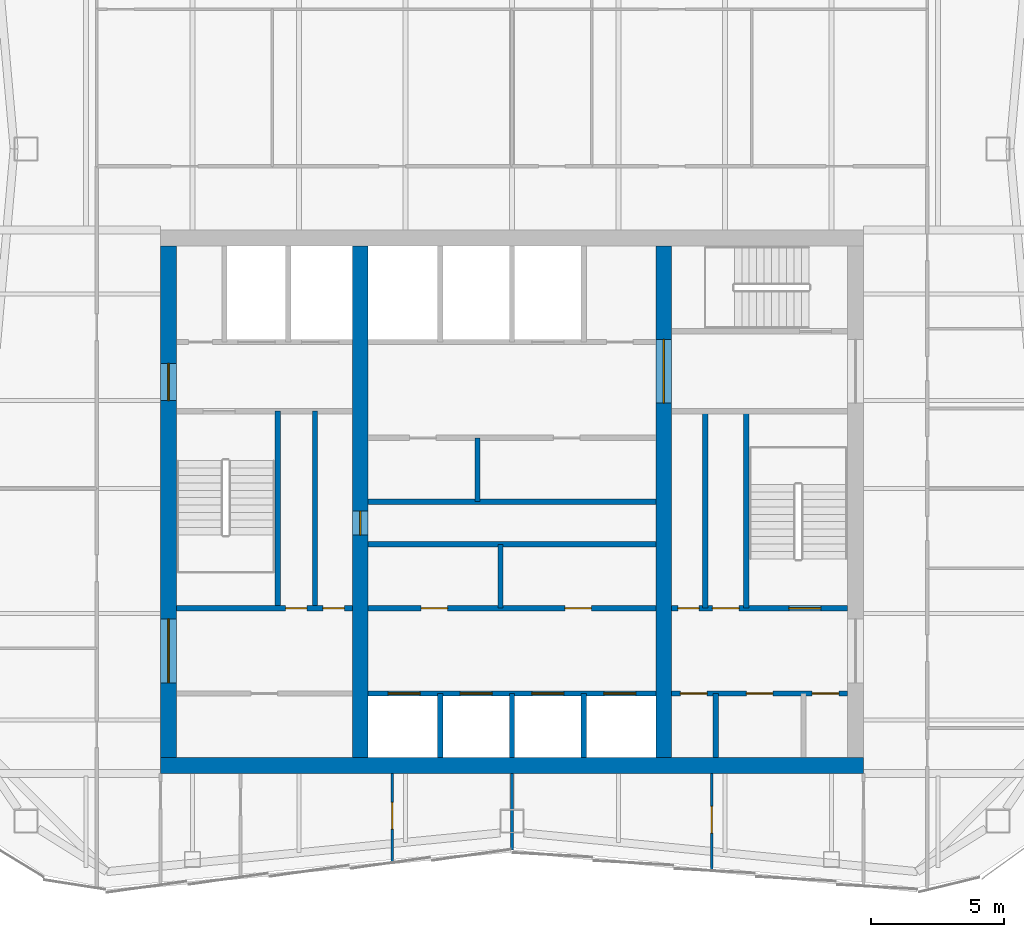
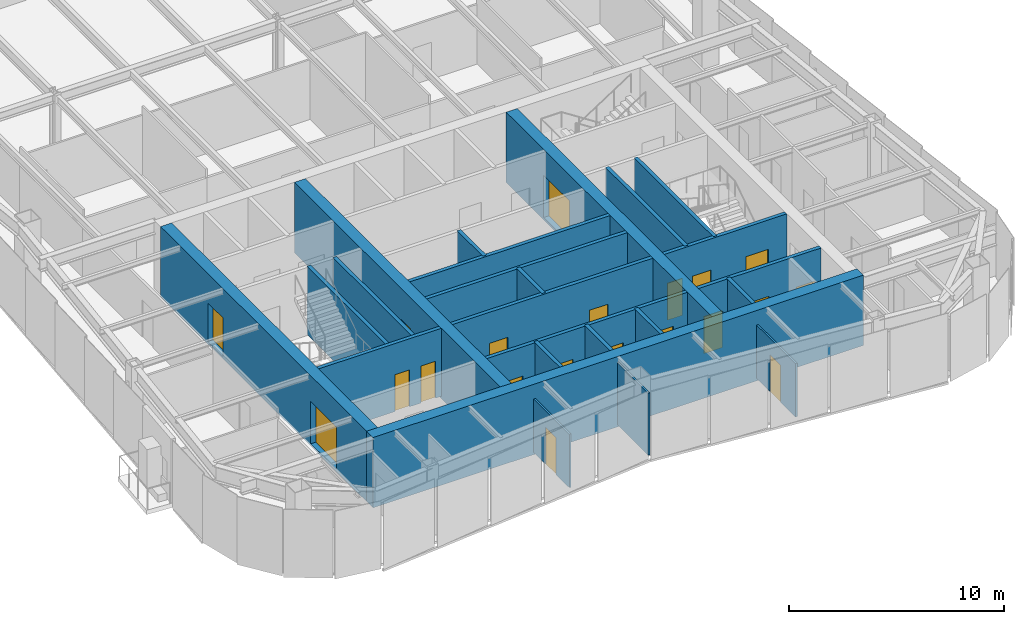
# One storey, part 6 of 10: 24 walls, 20 doors, 20 openings.
"""IFC4 building model written with IfcOpenShell, lengths in metres."""

from ifc_helpers import new_model, si_unit, direction, frame, frame_2d, origin, place, context, subcontext, project, spatial, rectangle, extrude, material, layer, layer_set, type_object, element, fill, save


model = new_model("IFC4")

# Units and contexts
model_context = context("Model", 3, precision=1e-05, world=origin(), true_north=direction((0.0, 1.0)))
body_context = subcontext(model_context, "Body", "Model", "MODEL_VIEW")
ifc_project = project(units=[si_unit("LENGTHUNIT", "METRE"), si_unit("AREAUNIT", "SQUARE_METRE"), si_unit("VOLUMEUNIT", "CUBIC_METRE"), si_unit("PLANEANGLEUNIT", "RADIAN"), si_unit("MASSUNIT", "GRAM", prefix="KILO")], contexts=[model_context])

# Site, building, storey
site_placement = place(None, origin())
site = spatial("IfcSite", under=ifc_project, at=site_placement, CompositionType="ELEMENT")
building_placement = place(site_placement, origin())
building = spatial("IfcBuilding", under=site, at=building_placement, Name="Verdant Reach Tower", CompositionType="ELEMENT")
storey_placement = place(building_placement, frame((0.0, 0.0, 326.0)))
storey = spatial("IfcBuildingStorey", under=building, at=storey_placement, Name="L75", CompositionType="ELEMENT", Elevation=326.0)

# Wall, openings, doors
ifc_material_1 = material(Name="Gypsum board on steel studs", Category="steel")
ifc_layer_1 = layer(ifc_material_1, 0.199951171875)
ifc_layer_set_1 = layer_set([ifc_layer_1], Name="CO-WALL-ROOM")
wall_type_1 = type_object("IfcWallType", Name="CO-WALL-ROOM", PredefinedType="PARTITIONING", material=ifc_layer_set_1)
wall_1_placement = place(storey_placement, frame((6.0, 20.800048828125, 0.0), z_axis=(0.0, 0.0, 1.0), x_axis=(1.0, 0.0, 0.0)))
wall_1 = element("IfcWall", 1, at=wall_1_placement, inside=storey, type_object=wall_type_1, Name="Core partition, L75", PredefinedType="PARTITIONING", context=body_context, shape_type="SweptSolid", body=[
    extrude(rectangle(XDim=6.60009765625, YDim=0.199951171875, at=frame_2d((3.300048828125, 0.0))), origin(), (0.0, 0.0, 1.0), 3.8701171875),
])
opening_1_placement = place(wall_1_placement, frame((0.324951171875, 0.0, 0.0)))
opening_1 = element("IfcOpeningElement", 2, at=opening_1_placement, cuts=wall_1, Name="Opening CD", PredefinedType="OPENING", context=body_context, shape_type="SweptSolid", body=[
    extrude(rectangle(XDim=1.0, YDim=2.10009765625, at=frame_2d((0.5, 1.050048828125))), frame((0.0, 0.10986328125, 0.0), z_axis=(0.0, -1.0, 0.0), x_axis=(1.0, 0.0, 0.0)), (0.0, 0.0, 1.0), 0.219970703125),
])
opening_2_placement = place(wall_1_placement, frame((2.800048828125, 0.0, 0.0)))
opening_2 = element("IfcOpeningElement", 3, at=opening_2_placement, cuts=wall_1, Name="Opening CD", PredefinedType="OPENING", context=body_context, shape_type="SweptSolid", body=[
    extrude(rectangle(XDim=1.0, YDim=2.10009765625, at=frame_2d((0.5, 1.050048828125))), frame((0.0, 0.10986328125, 0.0), z_axis=(0.0, -1.0, 0.0), x_axis=(1.0, 0.0, 0.0)), (0.0, 0.0, 1.0), 0.219970703125),
])
opening_3_placement = place(wall_1_placement, frame((5.27490234375, 0.0, 0.0)))
opening_3 = element("IfcOpeningElement", 4, at=opening_3_placement, cuts=wall_1, Name="Opening CD", PredefinedType="OPENING", context=body_context, shape_type="SweptSolid", body=[
    extrude(rectangle(XDim=1.0, YDim=2.10009765625, at=frame_2d((0.5, 1.050048828125))), frame((0.0, 0.10986328125, 0.0), z_axis=(0.0, -1.0, 0.0), x_axis=(1.0, 0.0, 0.0)), (0.0, 0.0, 1.0), 0.219970703125),
])
ifc_material_2 = material(Name="Timber", Category="wood")
door_type_1 = type_object("IfcDoorType", Name="CO-DOOR-ROOM", OperationType="NOTDEFINED", PredefinedType="DOOR", material=ifc_material_2)
door_1_placement = place(opening_1_placement, origin())
door_1 = element("IfcDoor", 5, at=door_1_placement, inside=storey, type_object=door_type_1, Name="Core room door, L75", OperationType="SINGLE_SWING_LEFT", OverallHeight=2.10009765625, OverallWidth=1.0, PredefinedType="DOOR", context=body_context, shape_type="SweptSolid", body=[
    extrude(rectangle(XDim=1.0, YDim=2.10009765625, at=frame_2d((0.5, 1.050048828125))), frame((0.0, 0.02490234375, 0.0), z_axis=(0.0, -1.0, 0.0), x_axis=(1.0, 0.0, 0.0)), (0.0, 0.0, 1.0), 0.050048828125),
])
fill(opening_1, door_1)
door_2_placement = place(opening_2_placement, origin())
door_2 = element("IfcDoor", 6, at=door_2_placement, inside=storey, type_object=door_type_1, Name="Core room door, L75", OperationType="SINGLE_SWING_LEFT", OverallHeight=2.10009765625, OverallWidth=1.0, PredefinedType="DOOR", context=body_context, shape_type="SweptSolid", body=[
    extrude(rectangle(XDim=1.0, YDim=2.10009765625, at=frame_2d((0.5, 1.050048828125))), frame((0.0, 0.02490234375, 0.0), z_axis=(0.0, -1.0, 0.0), x_axis=(1.0, 0.0, 0.0)), (0.0, 0.0, 1.0), 0.050048828125),
])
fill(opening_2, door_2)
door_3_placement = place(opening_3_placement, origin())
door_3 = element("IfcDoor", 7, at=door_3_placement, inside=storey, type_object=door_type_1, Name="Core room door, L75", OperationType="SINGLE_SWING_LEFT", OverallHeight=2.10009765625, OverallWidth=1.0, PredefinedType="DOOR", context=body_context, shape_type="SweptSolid", body=[
    extrude(rectangle(XDim=1.0, YDim=2.10009765625, at=frame_2d((0.5, 1.050048828125))), frame((0.0, 0.02490234375, 0.0), z_axis=(0.0, -1.0, 0.0), x_axis=(1.0, 0.0, 0.0)), (0.0, 0.0, 1.0), 0.050048828125),
])
fill(opening_3, door_3)

wall_2_placement = place(storey_placement, frame((-5.39990234375, 24.0, 0.0), z_axis=(0.0, 0.0, 1.0), x_axis=(1.0, 0.0, 0.0)))
wall_2 = element("IfcWall", 8, at=wall_2_placement, inside=storey, type_object=wall_type_1, Name="Core partition, L75", PredefinedType="PARTITIONING", context=body_context, shape_type="SweptSolid", body=[
    extrude(rectangle(XDim=10.7998046875, YDim=0.199951171875, at=frame_2d((5.39990234375, 0.0))), origin(), (0.0, 0.0, 1.0), 3.8701171875),
])
opening_4_placement = place(wall_2_placement, frame((1.98388671875, 0.0, 0.0)))
opening_4 = element("IfcOpeningElement", 9, at=opening_4_placement, cuts=wall_2, Name="Opening CD", PredefinedType="OPENING", context=body_context, shape_type="SweptSolid", body=[
    extrude(rectangle(XDim=1.0, YDim=2.10009765625, at=frame_2d((0.5, 1.050048828125))), frame((0.0, 0.10986328125, 0.0), z_axis=(0.0, -1.0, 0.0), x_axis=(1.0, 0.0, 0.0)), (0.0, 0.0, 1.0), 0.219970703125),
])
opening_5_placement = place(wall_2_placement, frame((7.384033203125, 0.0, 0.0)))
opening_5 = element("IfcOpeningElement", 10, at=opening_5_placement, cuts=wall_2, Name="Opening CD", PredefinedType="OPENING", context=body_context, shape_type="SweptSolid", body=[
    extrude(rectangle(XDim=1.0, YDim=2.10009765625, at=frame_2d((0.5, 1.050048828125))), frame((0.0, 0.10986328125, 0.0), z_axis=(0.0, -1.0, 0.0), x_axis=(1.0, 0.0, 0.0)), (0.0, 0.0, 1.0), 0.219970703125),
])
door_4_placement = place(opening_4_placement, origin())
door_4 = element("IfcDoor", 11, at=door_4_placement, inside=storey, type_object=door_type_1, Name="Core room door, L75", OperationType="SINGLE_SWING_LEFT", OverallHeight=2.10009765625, OverallWidth=1.0, PredefinedType="DOOR", context=body_context, shape_type="SweptSolid", body=[
    extrude(rectangle(XDim=1.0, YDim=2.10009765625, at=frame_2d((0.5, 1.050048828125))), frame((0.0, 0.02490234375, 0.0), z_axis=(0.0, -1.0, 0.0), x_axis=(1.0, 0.0, 0.0)), (0.0, 0.0, 1.0), 0.050048828125),
])
fill(opening_4, door_4)
door_5_placement = place(opening_5_placement, origin())
door_5 = element("IfcDoor", 12, at=door_5_placement, inside=storey, type_object=door_type_1, Name="Core room door, L75", OperationType="SINGLE_SWING_RIGHT", OverallHeight=2.10009765625, OverallWidth=1.0, PredefinedType="DOOR", context=body_context, shape_type="SweptSolid", body=[
    extrude(rectangle(XDim=1.0, YDim=2.10009765625, at=frame_2d((0.5, 1.050048828125))), frame((0.0, 0.02490234375, 0.0), z_axis=(0.0, -1.0, 0.0), x_axis=(1.0, 0.0, 0.0)), (0.0, 0.0, 1.0), 0.050048828125),
])
fill(opening_5, door_5)

# Walls
for number, where, z_axis, x_axis, name in (
    (13, (-5.39990234375, 26.39990234375, 0.0), (0.0, 0.0, 1.0), (1.0, 0.0, 0.0), "Core partition, L75"),
    (14, (-5.39990234375, 28.0, 0.0), (0.0, 0.0, 1.0), (1.0, 0.0, 0.0), "Core partition, L75"),
):
    element("IfcWall", number, at=place(storey_placement, frame(where, z_axis=z_axis, x_axis=x_axis)), inside=storey, type_object=wall_type_1, Name=name, PredefinedType="PARTITIONING", context=body_context, shape_type="SweptSolid", body=[
        extrude(rectangle(XDim=10.7998046875, YDim=0.199951171875, at=frame_2d((5.39990234375, 0.0))), origin(), (0.0, 0.0, 1.0), 3.8701171875),
    ])
wall_3_placement = place(storey_placement, frame((-7.39990234375, 24.0, 0.0), z_axis=(0.0, 0.0, 1.0), x_axis=(0.0, 1.0, 0.0)))
element("IfcWall", 15, at=wall_3_placement, inside=storey, type_object=wall_type_1, Name="Core partition, L75", PredefinedType="PARTITIONING", context=body_context, shape_type="SweptSolid", body=[
    extrude(rectangle(XDim=7.39990234375, YDim=0.199951171875, at=frame_2d((3.699951171875, 0.0))), origin(), (0.0, 0.0, 1.0), 3.8701171875),
])
for number, where, z_axis, x_axis, name in (
    (16, (-1.2958984375, 28.0, 0.0), (0.0, 0.0, 1.0), (0.0, 1.0, 0.0), "Core partition, L75"),
    (17, (-0.431884765625, 24.0, 0.0), (0.0, 0.0, 1.0), (0.0, 1.0, 0.0), "Core partition, L75"),
):
    element("IfcWall", number, at=place(storey_placement, frame(where, z_axis=z_axis, x_axis=x_axis)), inside=storey, type_object=wall_type_1, Name=name, PredefinedType="PARTITIONING", context=body_context, shape_type="SweptSolid", body=[
        extrude(rectangle(XDim=2.39990234375, YDim=0.199951171875, at=frame_2d((1.199951171875, 0.0))), origin(), (0.0, 0.0, 1.0), 3.8701171875),
    ])
wall_4_placement = place(storey_placement, frame((7.260009765625, 24.0, 0.0), z_axis=(0.0, 0.0, 1.0), x_axis=(0.0, 1.0, 0.0)))
element("IfcWall", 18, at=wall_4_placement, inside=storey, type_object=wall_type_1, Name="Core partition, L75", PredefinedType="PARTITIONING", context=body_context, shape_type="SweptSolid", body=[
    extrude(rectangle(XDim=7.39990234375, YDim=0.199951171875, at=frame_2d((3.699951171875, 0.0))), origin(), (0.0, 0.0, 1.0), 3.8701171875),
])
wall_5_placement = place(storey_placement, frame((7.64990234375, 18.39990234375, 0.0), z_axis=(0.0, 0.0, 1.0), x_axis=(0.0, 1.0, 0.0)))
element("IfcWall", 19, at=wall_5_placement, inside=storey, type_object=wall_type_1, Name="Core partition, L75", PredefinedType="PARTITIONING", context=body_context, shape_type="SweptSolid", body=[
    extrude(rectangle(XDim=2.400146484375, YDim=0.199951171875, at=frame_2d((1.2001953125, 0.0))), origin(), (0.0, 0.0, 1.0), 3.8701171875),
])

# Wall, openings, doors
ifc_material_3 = material(Name="Concrete C40/50", Category="concrete")
ifc_layer_2 = layer(ifc_material_3, 0.199951171875)
ifc_layer_set_2 = layer_set([ifc_layer_2], Name="CO-WALL-SHAFT")
wall_type_2 = type_object("IfcWallType", Name="CO-WALL-SHAFT", PredefinedType="PARTITIONING", material=ifc_layer_set_2)
wall_6_placement = place(storey_placement, frame((-5.39990234375, 20.800048828125, 0.0), z_axis=(0.0, 0.0, 1.0), x_axis=(1.0, 0.0, 0.0)))
wall_6 = element("IfcWall", 20, at=wall_6_placement, inside=storey, type_object=wall_type_2, Name="Lift shaft wall, L75", PredefinedType="PARTITIONING", context=body_context, shape_type="SweptSolid", body=[
    extrude(rectangle(XDim=10.7998046875, YDim=0.199951171875, at=frame_2d((5.39990234375, 0.0))), origin(), (0.0, 0.0, 1.0), 3.8701171875),
])
opening_6_placement = place(wall_6_placement, frame((0.75, 0.0, 0.0)))
opening_6 = element("IfcOpeningElement", 21, at=opening_6_placement, cuts=wall_6, Name="Opening LD-B1", PredefinedType="OPENING", context=body_context, shape_type="SweptSolid", body=[
    extrude(rectangle(XDim=1.199951171875, YDim=2.199951171875, at=frame_2d((0.60009765625, 1.10009765625))), frame((0.0, 0.10986328125, 0.0), z_axis=(0.0, -1.0, 0.0), x_axis=(1.0, 0.0, 0.0)), (0.0, 0.0, 1.0), 0.219970703125),
])
opening_7_placement = place(wall_6_placement, frame((3.449951171875, 0.0, 0.0)))
opening_7 = element("IfcOpeningElement", 22, at=opening_7_placement, cuts=wall_6, Name="Opening LD-B2", PredefinedType="OPENING", context=body_context, shape_type="SweptSolid", body=[
    extrude(rectangle(XDim=1.199951171875, YDim=2.199951171875, at=frame_2d((0.60009765625, 1.10009765625))), frame((0.0, 0.10986328125, 0.0), z_axis=(0.0, -1.0, 0.0), x_axis=(1.0, 0.0, 0.0)), (0.0, 0.0, 1.0), 0.219970703125),
])
opening_8_placement = place(wall_6_placement, frame((6.14990234375, 0.0, 0.0)))
opening_8 = element("IfcOpeningElement", 23, at=opening_8_placement, cuts=wall_6, Name="Opening LD-B3", PredefinedType="OPENING", context=body_context, shape_type="SweptSolid", body=[
    extrude(rectangle(XDim=1.199951171875, YDim=2.199951171875, at=frame_2d((0.60009765625, 1.10009765625))), frame((0.0, 0.10986328125, 0.0), z_axis=(0.0, -1.0, 0.0), x_axis=(1.0, 0.0, 0.0)), (0.0, 0.0, 1.0), 0.219970703125),
])
opening_9_placement = place(wall_6_placement, frame((8.85009765625, 0.0, 0.0)))
opening_9 = element("IfcOpeningElement", 24, at=opening_9_placement, cuts=wall_6, Name="Opening LD-B4", PredefinedType="OPENING", context=body_context, shape_type="SweptSolid", body=[
    extrude(rectangle(XDim=1.199951171875, YDim=2.199951171875, at=frame_2d((0.60009765625, 1.10009765625))), frame((0.0, 0.10986328125, 0.0), z_axis=(0.0, -1.0, 0.0), x_axis=(1.0, 0.0, 0.0)), (0.0, 0.0, 1.0), 0.219970703125),
])
ifc_material_4 = material(Name="Stainless steel", Category="steel")
door_type_2 = type_object("IfcDoorType", Name="CO-DOOR-LANDING", OperationType="SLIDING_TO_LEFT", PredefinedType="DOOR", material=ifc_material_4)
door_6_placement = place(opening_6_placement, origin())
door_6 = element("IfcDoor", 25, at=door_6_placement, inside=storey, type_object=door_type_2, Name="Landing door B1, L75", OperationType="SLIDING_TO_LEFT", OverallHeight=2.199951171875, OverallWidth=1.199951171875, PredefinedType="DOOR", context=body_context, shape_type="SweptSolid", body=[
    extrude(rectangle(XDim=1.199951171875, YDim=2.199951171875, at=frame_2d((0.60009765625, 1.10009765625))), frame((0.0, 0.02490234375, 0.0), z_axis=(0.0, -1.0, 0.0), x_axis=(1.0, 0.0, 0.0)), (0.0, 0.0, 1.0), 0.050048828125),
])
fill(opening_6, door_6)
door_7_placement = place(opening_7_placement, origin())
door_7 = element("IfcDoor", 26, at=door_7_placement, inside=storey, type_object=door_type_2, Name="Landing door B2, L75", OperationType="SLIDING_TO_LEFT", OverallHeight=2.199951171875, OverallWidth=1.199951171875, PredefinedType="DOOR", context=body_context, shape_type="SweptSolid", body=[
    extrude(rectangle(XDim=1.199951171875, YDim=2.199951171875, at=frame_2d((0.60009765625, 1.10009765625))), frame((0.0, 0.02490234375, 0.0), z_axis=(0.0, -1.0, 0.0), x_axis=(1.0, 0.0, 0.0)), (0.0, 0.0, 1.0), 0.050048828125),
])
fill(opening_7, door_7)
door_8_placement = place(opening_8_placement, origin())
door_8 = element("IfcDoor", 27, at=door_8_placement, inside=storey, type_object=door_type_2, Name="Landing door B3, L75", OperationType="SLIDING_TO_LEFT", OverallHeight=2.199951171875, OverallWidth=1.199951171875, PredefinedType="DOOR", context=body_context, shape_type="SweptSolid", body=[
    extrude(rectangle(XDim=1.199951171875, YDim=2.199951171875, at=frame_2d((0.60009765625, 1.10009765625))), frame((0.0, 0.02490234375, 0.0), z_axis=(0.0, -1.0, 0.0), x_axis=(1.0, 0.0, 0.0)), (0.0, 0.0, 1.0), 0.050048828125),
])
fill(opening_8, door_8)
door_9_placement = place(opening_9_placement, origin())
door_9 = element("IfcDoor", 28, at=door_9_placement, inside=storey, type_object=door_type_2, Name="Landing door B4, L75", OperationType="SLIDING_TO_LEFT", OverallHeight=2.199951171875, OverallWidth=1.199951171875, PredefinedType="DOOR", context=body_context, shape_type="SweptSolid", body=[
    extrude(rectangle(XDim=1.199951171875, YDim=2.199951171875, at=frame_2d((0.60009765625, 1.10009765625))), frame((0.0, 0.02490234375, 0.0), z_axis=(0.0, -1.0, 0.0), x_axis=(1.0, 0.0, 0.0)), (0.0, 0.0, 1.0), 0.050048828125),
])
fill(opening_9, door_9)

# Walls
for number, where, z_axis, x_axis, name in (
    (29, (-2.699951171875, 18.39990234375, 0.0), (0.0, 0.0, 1.0), (0.0, 1.0, 0.0), "Lift shaft wall, L75"),
    (30, (0.0, 18.39990234375, 0.0), (0.0, 0.0, 1.0), (0.0, 1.0, 0.0), "Lift shaft wall, L75"),
    (31, (2.699951171875, 18.39990234375, 0.0), (0.0, 0.0, 1.0), (0.0, 1.0, 0.0), "Lift shaft wall, L75"),
):
    element("IfcWall", number, at=place(storey_placement, frame(where, z_axis=z_axis, x_axis=x_axis)), inside=storey, type_object=wall_type_2, Name=name, PredefinedType="PARTITIONING", context=body_context, shape_type="SweptSolid", body=[
        extrude(rectangle(XDim=2.400146484375, YDim=0.199951171875, at=frame_2d((1.2001953125, 0.0))), origin(), (0.0, 0.0, 1.0), 3.8701171875),
    ])

# Wall, openings, doors
ifc_layer_3 = layer(ifc_material_3, 0.199951171875)
ifc_layer_set_3 = layer_set([ifc_layer_3], Name="CO-WALL-STAIR")
wall_type_3 = type_object("IfcWallType", Name="CO-WALL-STAIR", PredefinedType="PARTITIONING", material=ifc_layer_set_3)
wall_7_placement = place(storey_placement, frame((-12.60009765625, 24.0, 0.0), z_axis=(0.0, 0.0, 1.0), x_axis=(1.0, 0.0, 0.0)))
wall_7 = element("IfcWall", 32, at=wall_7_placement, inside=storey, type_object=wall_type_3, Name="Stair enclosure wall, L75", PredefinedType="PARTITIONING", context=body_context, shape_type="SweptSolid", body=[
    extrude(rectangle(XDim=6.60009765625, YDim=0.199951171875, at=frame_2d((3.300048828125, 0.0))), origin(), (0.0, 0.0, 1.0), 3.8701171875),
])
opening_10_placement = place(wall_7_placement, frame((4.10009765625, 0.0, 0.0)))
opening_10 = element("IfcOpeningElement", 33, at=opening_10_placement, cuts=wall_7, Name="Opening CDN", PredefinedType="OPENING", context=body_context, shape_type="SweptSolid", body=[
    extrude(rectangle(XDim=0.800048828125, YDim=2.10009765625, at=frame_2d((0.39990234375, 1.050048828125))), frame((0.0, 0.10986328125, 0.0), z_axis=(0.0, -1.0, 0.0), x_axis=(1.0, 0.0, 0.0)), (0.0, 0.0, 1.0), 0.219970703125),
])
opening_11_placement = place(wall_7_placement, frame((5.5, 0.0, 0.0)))
opening_11 = element("IfcOpeningElement", 34, at=opening_11_placement, cuts=wall_7, Name="Opening CDN", PredefinedType="OPENING", context=body_context, shape_type="SweptSolid", body=[
    extrude(rectangle(XDim=0.800048828125, YDim=2.10009765625, at=frame_2d((0.39990234375, 1.050048828125))), frame((0.0, 0.10986328125, 0.0), z_axis=(0.0, -1.0, 0.0), x_axis=(1.0, 0.0, 0.0)), (0.0, 0.0, 1.0), 0.219970703125),
])
door_type_3 = type_object("IfcDoorType", Name="CO-DOOR-ROOM-NARROW", OperationType="NOTDEFINED", PredefinedType="DOOR", material=ifc_material_2)
door_10_placement = place(opening_10_placement, origin())
door_10 = element("IfcDoor", 35, at=door_10_placement, inside=storey, type_object=door_type_3, Name="Core room door, L75", OperationType="SINGLE_SWING_LEFT", OverallHeight=2.10009765625, OverallWidth=0.800048828125, PredefinedType="DOOR", context=body_context, shape_type="SweptSolid", body=[
    extrude(rectangle(XDim=0.800048828125, YDim=2.10009765625, at=frame_2d((0.39990234375, 1.050048828125))), frame((0.0, 0.02490234375, 0.0), z_axis=(0.0, -1.0, 0.0), x_axis=(1.0, 0.0, 0.0)), (0.0, 0.0, 1.0), 0.050048828125),
])
fill(opening_10, door_10)
door_11_placement = place(opening_11_placement, origin())
door_11 = element("IfcDoor", 36, at=door_11_placement, inside=storey, type_object=door_type_3, Name="Core room door, L75", OperationType="SINGLE_SWING_RIGHT", OverallHeight=2.10009765625, OverallWidth=0.800048828125, PredefinedType="DOOR", context=body_context, shape_type="SweptSolid", body=[
    extrude(rectangle(XDim=0.800048828125, YDim=2.10009765625, at=frame_2d((0.39990234375, 1.050048828125))), frame((0.0, 0.02490234375, 0.0), z_axis=(0.0, -1.0, 0.0), x_axis=(1.0, 0.0, 0.0)), (0.0, 0.0, 1.0), 0.050048828125),
])
fill(opening_11, door_11)

wall_8_placement = place(storey_placement, frame((6.0, 24.0, 0.0), z_axis=(0.0, 0.0, 1.0), x_axis=(1.0, 0.0, 0.0)))
wall_8 = element("IfcWall", 37, at=wall_8_placement, inside=storey, type_object=wall_type_3, Name="Stair enclosure wall, L75", PredefinedType="PARTITIONING", context=body_context, shape_type="SweptSolid", body=[
    extrude(rectangle(XDim=6.60009765625, YDim=0.199951171875, at=frame_2d((3.300048828125, 0.0))), origin(), (0.0, 0.0, 1.0), 3.8701171875),
])
opening_12_placement = place(wall_8_placement, frame((0.22998046875, 0.0, 0.0)))
opening_12 = element("IfcOpeningElement", 38, at=opening_12_placement, cuts=wall_8, Name="Opening CDN", PredefinedType="OPENING", context=body_context, shape_type="SweptSolid", body=[
    extrude(rectangle(XDim=0.800048828125, YDim=2.10009765625, at=frame_2d((0.39990234375, 1.050048828125))), frame((0.0, 0.10986328125, 0.0), z_axis=(0.0, -1.0, 0.0), x_axis=(1.0, 0.0, 0.0)), (0.0, 0.0, 1.0), 0.219970703125),
])
opening_13_placement = place(wall_8_placement, frame((1.530029296875, 0.0, 0.0)))
opening_13 = element("IfcOpeningElement", 39, at=opening_13_placement, cuts=wall_8, Name="Opening CD", PredefinedType="OPENING", context=body_context, shape_type="SweptSolid", body=[
    extrude(rectangle(XDim=1.0, YDim=2.10009765625, at=frame_2d((0.5, 1.050048828125))), frame((0.0, 0.10986328125, 0.0), z_axis=(0.0, -1.0, 0.0), x_axis=(1.0, 0.0, 0.0)), (0.0, 0.0, 1.0), 0.219970703125),
])
opening_14_placement = place(wall_8_placement, frame((4.39990234375, 0.0, 0.0)))
opening_14 = element("IfcOpeningElement", 40, at=opening_14_placement, cuts=wall_8, Name="Opening SD", PredefinedType="OPENING", context=body_context, shape_type="SweptSolid", body=[
    extrude(rectangle(XDim=1.199951171875, YDim=2.199951171875, at=frame_2d((0.60009765625, 1.10009765625))), frame((0.0, 0.10986328125, 0.0), z_axis=(0.0, -1.0, 0.0), x_axis=(1.0, 0.0, 0.0)), (0.0, 0.0, 1.0), 0.219970703125),
])
door_12_placement = place(opening_13_placement, origin())
door_12 = element("IfcDoor", 41, at=door_12_placement, inside=storey, type_object=door_type_1, Name="Core room door, L75", OperationType="SINGLE_SWING_LEFT", OverallHeight=2.10009765625, OverallWidth=1.0, PredefinedType="DOOR", context=body_context, shape_type="SweptSolid", body=[
    extrude(rectangle(XDim=1.0, YDim=2.10009765625, at=frame_2d((0.5, 1.050048828125))), frame((0.0, 0.02490234375, 0.0), z_axis=(0.0, -1.0, 0.0), x_axis=(1.0, 0.0, 0.0)), (0.0, 0.0, 1.0), 0.050048828125),
])
fill(opening_13, door_12)
door_13_placement = place(opening_12_placement, origin())
door_13 = element("IfcDoor", 42, at=door_13_placement, inside=storey, type_object=door_type_3, Name="Core room door, L75", OperationType="SINGLE_SWING_RIGHT", OverallHeight=2.10009765625, OverallWidth=0.800048828125, PredefinedType="DOOR", context=body_context, shape_type="SweptSolid", body=[
    extrude(rectangle(XDim=0.800048828125, YDim=2.10009765625, at=frame_2d((0.39990234375, 1.050048828125))), frame((0.0, 0.02490234375, 0.0), z_axis=(0.0, -1.0, 0.0), x_axis=(1.0, 0.0, 0.0)), (0.0, 0.0, 1.0), 0.050048828125),
])
fill(opening_12, door_13)
ifc_material_5 = material(Name="Steel", Category="steel")
door_type_4 = type_object("IfcDoorType", Name="CO-DOOR-STAIR", OperationType="NOTDEFINED", PredefinedType="DOOR", material=ifc_material_5)
door_14_placement = place(opening_14_placement, origin())
door_14 = element("IfcDoor", 43, at=door_14_placement, inside=storey, type_object=door_type_4, Name="Stair door, L75", OperationType="SINGLE_SWING_LEFT", OverallHeight=2.199951171875, OverallWidth=1.199951171875, PredefinedType="DOOR", context=body_context, shape_type="SweptSolid", body=[
    extrude(rectangle(XDim=1.199951171875, YDim=2.199951171875, at=frame_2d((0.60009765625, 1.10009765625))), frame((0.0, 0.02490234375, 0.0), z_axis=(0.0, -1.0, 0.0), x_axis=(1.0, 0.0, 0.0)), (0.0, 0.0, 1.0), 0.050048828125),
])
fill(opening_14, door_14)

# Walls
for number, where, z_axis, x_axis, name in (
    (44, (-8.800048828125, 24.0, 0.0), (0.0, 0.0, 1.0), (0.0, 1.0, 0.0), "Stair enclosure wall, L75"),
    (45, (8.800048828125, 24.0, 0.0), (0.0, 0.0, 1.0), (0.0, 1.0, 0.0), "Stair enclosure wall, L75"),
):
    element("IfcWall", number, at=place(storey_placement, frame(where, z_axis=z_axis, x_axis=x_axis)), inside=storey, type_object=wall_type_3, Name=name, PredefinedType="PARTITIONING", context=body_context, shape_type="SweptSolid", body=[
        extrude(rectangle(XDim=7.39990234375, YDim=0.199951171875, at=frame_2d((3.699951171875, 0.0))), origin(), (0.0, 0.0, 1.0), 3.8701171875),
    ])

# Wall, opening, door
ifc_layer_4 = layer(ifc_material_1, 0.10009765625)
ifc_layer_set_4 = layer_set([ifc_layer_4], Name="FL-W1 Partition 100")
wall_type_4 = type_object("IfcWallType", Name="FL-W1 Partition 100", PredefinedType="PARTITIONING", material=ifc_layer_set_4)
wall_9_placement = place(storey_placement, frame((-4.5, 17.800048828125, 0.0), z_axis=(0.0, 0.0, 1.0), x_axis=(0.0, -1.0, 0.0)))
wall_9 = element("IfcWall", 46, at=wall_9_placement, inside=storey, type_object=wall_type_4, Name="Partition 75.31", PredefinedType="PARTITIONING", context=body_context, shape_type="SweptSolid", body=[
    extrude(rectangle(XDim=3.32275390625, YDim=0.10009765625, at=frame_2d((1.661376953125, 0.0))), origin(), (0.0, 0.0, 1.0), 3.0400390625),
])
opening_15_placement = place(wall_9_placement, frame((1.09619140625, 0.0, 0.0)))
opening_15 = element("IfcOpeningElement", 47, at=opening_15_placement, cuts=wall_9, Name="Opening D3", PredefinedType="OPENING", context=body_context, shape_type="SweptSolid", body=[
    extrude(rectangle(XDim=1.0, YDim=2.10009765625, at=frame_2d((0.5, 1.050048828125))), frame((0.0, 0.06005859375, 0.0), z_axis=(0.0, -1.0, 0.0), x_axis=(1.0, 0.0, 0.0)), (0.0, 0.0, 1.0), 0.1201171875),
])
ifc_material_6 = material(Name="Painted timber door leaf", Category="wood")
door_type_5 = type_object("IfcDoorType", Name="FL-D3 Door 1000x2100", OperationType="NOTDEFINED", PredefinedType="DOOR", material=ifc_material_6)
door_15_placement = place(opening_15_placement, origin())
door_15 = element("IfcDoor", 48, at=door_15_placement, inside=storey, type_object=door_type_5, Name="Door 75-018", OperationType="SINGLE_SWING_LEFT", OverallHeight=2.10009765625, OverallWidth=1.0, PredefinedType="DOOR", context=body_context, shape_type="SweptSolid", body=[
    extrude(rectangle(XDim=1.0, YDim=2.10009765625, at=frame_2d((0.5, 1.050048828125))), frame((0.0, 0.02490234375, 0.0), z_axis=(0.0, -1.0, 0.0), x_axis=(1.0, 0.0, 0.0)), (0.0, 0.0, 1.0), 0.050048828125),
])
fill(opening_15, door_15)

# Wall
wall_10_placement = place(storey_placement, frame((0.0, 14.919921875, 0.0), z_axis=(0.0, 0.0, 1.0), x_axis=(0.0, 1.0, 0.0)))
element("IfcWall", 49, at=wall_10_placement, inside=storey, type_object=wall_type_4, Name="Partition 75.32", PredefinedType="PARTITIONING", context=body_context, shape_type="SweptSolid", body=[
    extrude(rectangle(XDim=2.880126953125, YDim=0.10009765625, at=frame_2d((1.43994140625, 0.0))), origin(), (0.0, 0.0, 1.0), 3.5400390625),
])

# Wall, opening, door
wall_11_placement = place(storey_placement, frame((7.5, 14.182373046875, 0.0), z_axis=(0.0, 0.0, 1.0), x_axis=(0.0, 1.0, 0.0)))
wall_11 = element("IfcWall", 50, at=wall_11_placement, inside=storey, type_object=wall_type_4, Name="Partition 75.33", PredefinedType="PARTITIONING", context=body_context, shape_type="SweptSolid", body=[
    extrude(rectangle(XDim=3.61767578125, YDim=0.10009765625, at=frame_2d((1.808837890625, 0.0))), origin(), (0.0, 0.0, 1.0), 3.0400390625),
])
opening_16_placement = place(wall_11_placement, frame((1.3740234375, 0.0, 0.0)))
opening_16 = element("IfcOpeningElement", 51, at=opening_16_placement, cuts=wall_11, Name="Opening D3", PredefinedType="OPENING", context=body_context, shape_type="SweptSolid", body=[
    extrude(rectangle(XDim=1.0, YDim=2.10009765625, at=frame_2d((0.5, 1.050048828125))), frame((0.0, 0.06005859375, 0.0), z_axis=(0.0, -1.0, 0.0), x_axis=(1.0, 0.0, 0.0)), (0.0, 0.0, 1.0), 0.1201171875),
])
door_16_placement = place(opening_16_placement, origin())
door_16 = element("IfcDoor", 52, at=door_16_placement, inside=storey, type_object=door_type_5, Name="Door 75-019", OperationType="SINGLE_SWING_RIGHT", OverallHeight=2.10009765625, OverallWidth=1.0, PredefinedType="DOOR", context=body_context, shape_type="SweptSolid", body=[
    extrude(rectangle(XDim=1.0, YDim=2.10009765625, at=frame_2d((0.5, 1.050048828125))), frame((0.0, 0.02490234375, 0.0), z_axis=(0.0, -1.0, 0.0), x_axis=(1.0, 0.0, 0.0)), (0.0, 0.0, 1.0), 0.050048828125),
])
fill(opening_16, door_16)

# Wall
ifc_material_7 = material(Name="Concrete C70/85", Category="concrete")
ifc_layer_5 = layer(ifc_material_7, 0.60009765625)
ifc_layer_set_5 = layer_set([ifc_layer_5], Name="ST-CORE-WALL-600")
wall_type_5 = type_object("IfcWallType", Name="ST-CORE-WALL-600", PredefinedType="SHEAR", material=ifc_layer_set_5)
wall_12_placement = place(storey_placement, frame((-13.199951171875, 18.10009765625, -0.1298828125), z_axis=(0.0, 0.0, 1.0), x_axis=(1.0, 0.0, 0.0)))
element("IfcWall", 53, at=wall_12_placement, inside=storey, type_object=wall_type_5, Name="Core wall S, L75", PredefinedType="SHEAR", context=body_context, shape_type="SweptSolid", body=[
    extrude(rectangle(XDim=26.39990234375, YDim=0.60009765625, at=frame_2d((13.199951171875, 0.0))), origin(), (0.0, 0.0, 1.0), 4.0),
])

# Wall, openings, doors
wall_13_placement = place(storey_placement, frame((-12.89990234375, 18.39990234375, -0.1298828125), z_axis=(0.0, 0.0, 1.0), x_axis=(0.0, 1.0, 0.0)))
wall_13 = element("IfcWall", 54, at=wall_13_placement, inside=storey, type_object=wall_type_5, Name="Core wall W, L75", PredefinedType="SHEAR", context=body_context, shape_type="SweptSolid", body=[
    extrude(rectangle(XDim=19.2001953125, YDim=0.60009765625, at=frame_2d((9.60009765625, 0.0))), origin(), (0.0, 0.0, 1.0), 4.0),
])
opening_17_placement = place(wall_13_placement, frame((2.800048828125, 0.0, 0.1298828125)))
opening_17 = element("IfcOpeningElement", 55, at=opening_17_placement, cuts=wall_13, Name="Opening LB", PredefinedType="OPENING", context=body_context, shape_type="SweptSolid", body=[
    extrude(rectangle(XDim=2.39990234375, YDim=2.39990234375, at=frame_2d((1.199951171875, 1.199951171875))), frame((0.0, 0.31005859375, 0.0), z_axis=(0.0, -1.0, 0.0), x_axis=(1.0, 0.0, 0.0)), (0.0, 0.0, 1.0), 0.6201171875),
])
opening_18_placement = place(wall_13_placement, frame((13.39990234375, 0.0, 0.1298828125)))
opening_18 = element("IfcOpeningElement", 56, at=opening_18_placement, cuts=wall_13, Name="Opening FL", PredefinedType="OPENING", context=body_context, shape_type="SweptSolid", body=[
    extrude(rectangle(XDim=1.39990234375, YDim=2.199951171875, at=frame_2d((0.699951171875, 1.10009765625))), frame((0.0, 0.31005859375, 0.0), z_axis=(0.0, -1.0, 0.0), x_axis=(1.0, 0.0, 0.0)), (0.0, 0.0, 1.0), 0.6201171875),
])
door_type_6 = type_object("IfcDoorType", Name="CO-DOOR-FFL", OperationType="NOTDEFINED", PredefinedType="DOOR", material=ifc_material_5)
door_17_placement = place(opening_18_placement, origin())
door_17 = element("IfcDoor", 57, at=door_17_placement, inside=storey, type_object=door_type_6, Name="Core entrance door, L75", OperationType="SINGLE_SWING_RIGHT", OverallHeight=2.199951171875, OverallWidth=1.39990234375, PredefinedType="DOOR", context=body_context, shape_type="SweptSolid", body=[
    extrude(rectangle(XDim=1.39990234375, YDim=2.199951171875, at=frame_2d((0.699951171875, 1.10009765625))), frame((0.0, 0.02490234375, 0.0), z_axis=(0.0, -1.0, 0.0), x_axis=(1.0, 0.0, 0.0)), (0.0, 0.0, 1.0), 0.050048828125),
])
fill(opening_18, door_17)
ifc_material_8 = material(Name="Glass and steel", Category="steel")
door_type_7 = type_object("IfcDoorType", Name="CO-DOOR-LOBBY", OperationType="DOUBLE_DOOR_SINGLE_SWING", PredefinedType="DOOR", material=ifc_material_8)
door_18_placement = place(opening_17_placement, origin())
door_18 = element("IfcDoor", 58, at=door_18_placement, inside=storey, type_object=door_type_7, Name="Core entrance door, L75", OperationType="DOUBLE_DOOR_SINGLE_SWING", OverallHeight=2.39990234375, OverallWidth=2.39990234375, PredefinedType="DOOR", context=body_context, shape_type="SweptSolid", body=[
    extrude(rectangle(XDim=2.39990234375, YDim=2.39990234375, at=frame_2d((1.199951171875, 1.199951171875))), frame((0.0, 0.02490234375, 0.0), z_axis=(0.0, -1.0, 0.0), x_axis=(1.0, 0.0, 0.0)), (0.0, 0.0, 1.0), 0.050048828125),
])
fill(opening_17, door_18)

# Wall, opening, door
wall_14_placement = place(storey_placement, frame((-5.699951171875, 18.39990234375, -0.1298828125), z_axis=(0.0, 0.0, 1.0), x_axis=(0.0, 1.0, 0.0)))
wall_14 = element("IfcWall", 59, at=wall_14_placement, inside=storey, type_object=wall_type_5, Name="Core wall XW, L75", PredefinedType="SHEAR", context=body_context, shape_type="SweptSolid", body=[
    extrude(rectangle(XDim=19.2001953125, YDim=0.60009765625, at=frame_2d((9.60009765625, 0.0))), origin(), (0.0, 0.0, 1.0), 4.0),
])
opening_19_placement = place(wall_14_placement, frame((8.35009765625, 0.0, 0.1298828125)))
opening_19 = element("IfcOpeningElement", 60, at=opening_19_placement, cuts=wall_14, Name="Opening RD", PredefinedType="OPENING", context=body_context, shape_type="SweptSolid", body=[
    extrude(rectangle(XDim=0.89990234375, YDim=2.10009765625, at=frame_2d((0.449951171875, 1.050048828125))), frame((0.0, 0.31005859375, 0.0), z_axis=(0.0, -1.0, 0.0), x_axis=(1.0, 0.0, 0.0)), (0.0, 0.0, 1.0), 0.6201171875),
])
door_type_8 = type_object("IfcDoorType", Name="CO-DOOR-RISER", OperationType="NOTDEFINED", PredefinedType="DOOR", material=ifc_material_5)
door_19_placement = place(opening_19_placement, origin())
door_19 = element("IfcDoor", 61, at=door_19_placement, inside=storey, type_object=door_type_8, Name="Riser door, L75", OperationType="SINGLE_SWING_RIGHT", OverallHeight=2.10009765625, OverallWidth=0.89990234375, PredefinedType="DOOR", context=body_context, shape_type="SweptSolid", body=[
    extrude(rectangle(XDim=0.89990234375, YDim=2.10009765625, at=frame_2d((0.449951171875, 1.050048828125))), frame((0.0, 0.02490234375, 0.0), z_axis=(0.0, -1.0, 0.0), x_axis=(1.0, 0.0, 0.0)), (0.0, 0.0, 1.0), 0.050048828125),
])
fill(opening_19, door_19)

wall_15_placement = place(storey_placement, frame((5.699951171875, 18.39990234375, -0.1298828125), z_axis=(0.0, 0.0, 1.0), x_axis=(0.0, 1.0, 0.0)))
wall_15 = element("IfcWall", 62, at=wall_15_placement, inside=storey, type_object=wall_type_5, Name="Core wall XE, L75", PredefinedType="SHEAR", context=body_context, shape_type="SweptSolid", body=[
    extrude(rectangle(XDim=19.2001953125, YDim=0.60009765625, at=frame_2d((9.60009765625, 0.0))), origin(), (0.0, 0.0, 1.0), 4.0),
])
opening_20_placement = place(wall_15_placement, frame((13.300048828125, 0.0, 0.1298828125)))
opening_20 = element("IfcOpeningElement", 63, at=opening_20_placement, cuts=wall_15, Name="Opening LB", PredefinedType="OPENING", context=body_context, shape_type="SweptSolid", body=[
    extrude(rectangle(XDim=2.39990234375, YDim=2.39990234375, at=frame_2d((1.199951171875, 1.199951171875))), frame((0.0, 0.31005859375, 0.0), z_axis=(0.0, -1.0, 0.0), x_axis=(1.0, 0.0, 0.0)), (0.0, 0.0, 1.0), 0.6201171875),
])
door_20_placement = place(opening_20_placement, origin())
door_20 = element("IfcDoor", 64, at=door_20_placement, inside=storey, type_object=door_type_7, Name="Core entrance door, L75", OperationType="DOUBLE_DOOR_SINGLE_SWING", OverallHeight=2.39990234375, OverallWidth=2.39990234375, PredefinedType="DOOR", context=body_context, shape_type="SweptSolid", body=[
    extrude(rectangle(XDim=2.39990234375, YDim=2.39990234375, at=frame_2d((1.199951171875, 1.199951171875))), frame((0.0, 0.02490234375, 0.0), z_axis=(0.0, -1.0, 0.0), x_axis=(1.0, 0.0, 0.0)), (0.0, 0.0, 1.0), 0.050048828125),
])
fill(opening_20, door_20)

save(model, "model.ifc")
